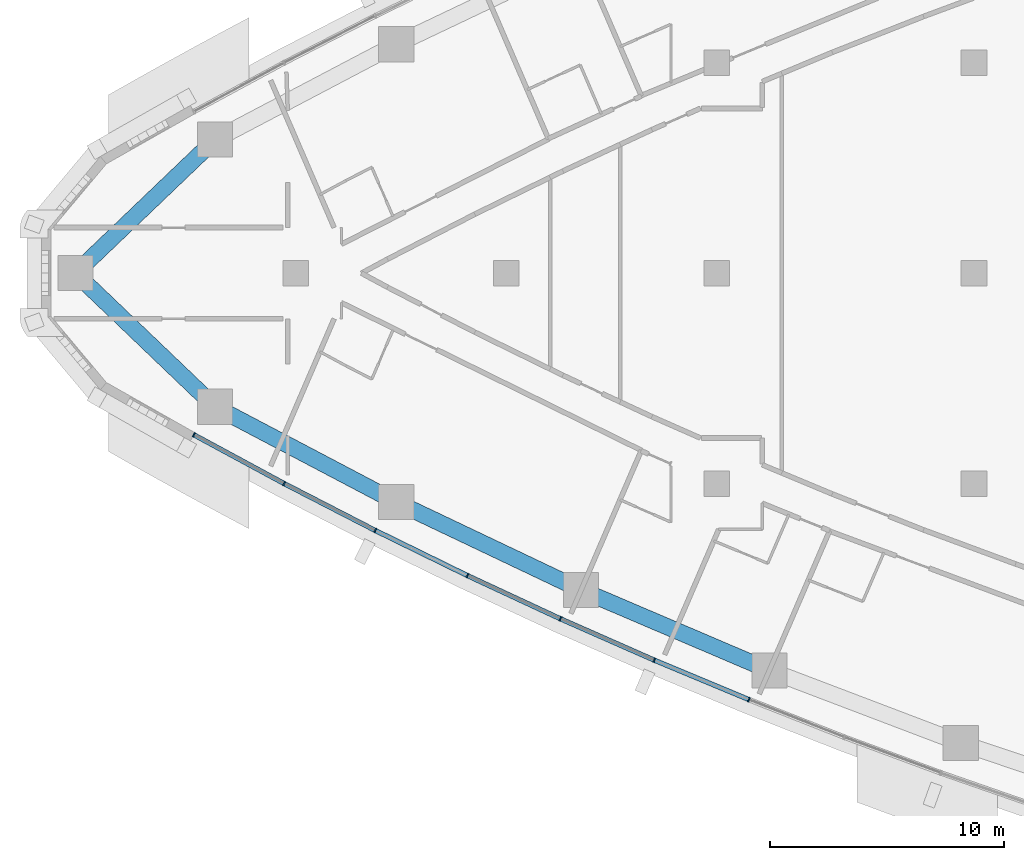
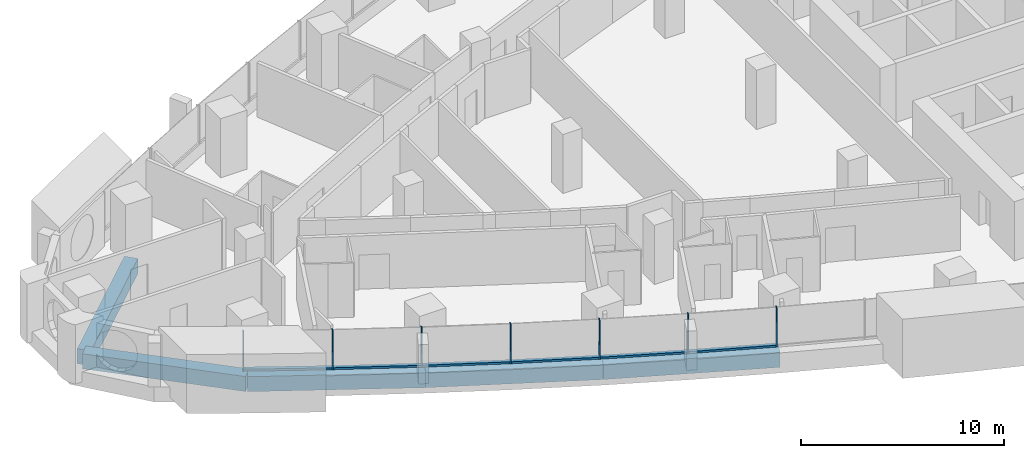
# One storey, part 2 of 16: 13 members, 5 beams, 3 elements without a shape of their own.
"""IFC4 building model written with IfcOpenShell, lengths in metres."""

from ifc_helpers import new_model, si_unit, direction, frame, origin, origin_2d, place, context, subcontext, project, spatial, rectangle, extrude, material, layer, layer_set, material_profile, profile_set, type_object, element, aggregate, save


model = new_model("IFC4")

# Units and contexts
model_context = context("Model", 3, precision=1e-05, world=origin(), true_north=direction((0.0, 1.0)))
body_context = subcontext(model_context, "Body", "Model", "MODEL_VIEW")
ifc_project = project(units=[si_unit("LENGTHUNIT", "METRE"), si_unit("AREAUNIT", "SQUARE_METRE"), si_unit("VOLUMEUNIT", "CUBIC_METRE"), si_unit("PLANEANGLEUNIT", "RADIAN"), si_unit("MASSUNIT", "GRAM", prefix="KILO")], contexts=[model_context])

# Site, building, storey
site_placement = place(None, origin())
site = spatial("IfcSite", under=ifc_project, at=site_placement, CompositionType="ELEMENT")
building_placement = place(site_placement, origin())
building = spatial("IfcBuilding", under=site, at=building_placement, Name="Ostrand Prow Hotel Tower", CompositionType="ELEMENT")
storey_placement = place(building_placement, frame((0.0, 0.0, 147.949951171875)))
storey = spatial("IfcBuildingStorey", under=building, at=storey_placement, Name="L36", CompositionType="ELEMENT", Elevation=147.949951171875)

# Beams
ifc_material_1 = material(Name="Concrete C70/85", Category="concrete")
ifc_material_profile_1 = material_profile(ifc_material_1, rectangle(XDim=0.699951171875, YDim=0.89990234375, at=origin_2d()), Name="RC 700x900")
ifc_profile_set_1 = profile_set([ifc_material_profile_1], Name="Concrete C70/85")
beam_type = type_object("IfcBeamType", Name="Edge beam 700x900 C70/85", PredefinedType="SPANDREL", material=ifc_profile_set_1)
beam_1_placement = place(storey_placement, frame((6.580078125, 0.0, -0.75), z_axis=(0.722689968521, -0.691172344209, 0.0), x_axis=(0.691172344209, 0.722689968521, 0.0)))
element("IfcBeam", 1, at=beam_1_placement, inside=storey, type_object=beam_type, Name="Edge beam P-S1", PredefinedType="SPANDREL", context=body_context, shape_type="SweptSolid", body=[
    extrude(rectangle(XDim=0.699951171875, YDim=0.89990234375, at=origin_2d()), origin(), (0.0, 0.0, 1.0), 8.26513671875),
])
for number, where, z_axis, x_axis, name in (
    (2, (12.55322265625, -5.712646484375, -0.75), (0.885016215308, -0.465560198731, 0.0), (0.465560198731, 0.885016215308, 0.0), "Edge beam S1-S2"),
    (3, (20.300048828125, -9.787841796875, -0.75), (0.903083113352, -0.429465819803, 0.0), (0.429465819803, 0.903083113352, 0.0), "Edge beam S2-S3"),
    (4, (28.205078125, -13.547119140625, -0.75), (0.919700966994, -0.392619575811, 0.0), (0.392619575811, 0.919700966994, 0.0), "Edge beam S3-S4"),
):
    element("IfcBeam", number, at=place(storey_placement, frame(where, z_axis=z_axis, x_axis=x_axis)), inside=storey, type_object=beam_type, Name=name, PredefinedType="SPANDREL", context=body_context, shape_type="SweptSolid", body=[
        extrude(rectangle(XDim=0.699951171875, YDim=0.89990234375, at=origin_2d()), origin(), (0.0, 0.0, 1.0), 8.75341796875),
    ])
beam_2_placement = place(storey_placement, frame((12.55322265625, 5.712646484375, -0.75), z_axis=(-0.722689968521, -0.691172344209, 0.0), x_axis=(0.691172344209, -0.722689968521, 0.0)))
element("IfcBeam", 5, at=beam_2_placement, inside=storey, type_object=beam_type, Name="Edge beam N6-P", PredefinedType="SPANDREL", context=body_context, shape_type="SweptSolid", body=[
    extrude(rectangle(XDim=0.699951171875, YDim=0.89990234375, at=origin_2d()), origin(), (0.0, 0.0, 1.0), 8.26513671875),
])

# Curtain wall, members
ifc_material_2 = material(Name="Insulated glass in bronze anodised frame", Category="glass")
ifc_layer = layer(ifc_material_2, 0.199951171875)
ifc_layer_set = layer_set([ifc_layer], Name="Insulated glass in bronze anodised frame")
curtain_wall_type = type_object("IfcCurtainWallType", Name="Strip curtain wall, fritted glass over bronze spandrel", PredefinedType="NOTDEFINED", material=ifc_layer_set)
curtain_wall_1_placement = place(storey_placement, origin())
curtain_wall_1 = element("IfcCurtainWall", 6, at=curtain_wall_1_placement, inside=storey, type_object=curtain_wall_type, Name="CW1 run CWS1", PredefinedType="NOTDEFINED")
ifc_material_3 = material(Name="Bronze anodised aluminium", Category="aluminium")
ifc_material_profile_2 = material_profile(ifc_material_3, rectangle(XDim=0.199951171875, YDim=0.06005859375, at=origin_2d()), Name="Mullion 60x200 bronze anodised aluminium")
ifc_profile_set_2 = profile_set([ifc_material_profile_2], Name="Bronze anodised aluminium")
member_type_1 = type_object("IfcMemberType", Name="Mullion 60x200 bronze anodised aluminium", PredefinedType="MULLION", material=ifc_profile_set_2)
member_1_placement = place(storey_placement, frame((11.64306640625, -6.909423828125, 0.900146484375), z_axis=(0.0, 0.0, 1.0), x_axis=(0.475393901316, 0.879773060847, 0.0)))
member_1 = element("IfcMember", 7, at=member_1_placement, type_object=member_type_1, Name="CW1 mullion 1", PredefinedType="MULLION", context=body_context, shape_type="SweptSolid", body=[
    extrude(rectangle(XDim=0.199951171875, YDim=0.06005859375, at=origin_2d()), origin(), (0.0, 0.0, 1.0), 2.349853515625),
])
member_2_placement = place(storey_placement, frame((15.501708984375, -8.99462890625, 0.900146484375), z_axis=(0.0, 0.0, 1.0), x_axis=(0.457619429434, 0.889148164146, 0.0)))
member_2 = element("IfcMember", 8, at=member_2_placement, type_object=member_type_1, Name="CW1 mullion 2", PredefinedType="MULLION", context=body_context, shape_type="SweptSolid", body=[
    extrude(rectangle(XDim=0.199951171875, YDim=0.06005859375, at=origin_2d()), origin(), (0.0, 0.0, 1.0), 2.349853515625),
])
member_3_placement = place(storey_placement, frame((19.401611328125, -11.001708984375, 0.900146484375), z_axis=(0.0, 0.0, 1.0), x_axis=(0.457619429434, 0.889148164146, 0.0)))
member_3 = element("IfcMember", 9, at=member_3_placement, type_object=member_type_1, Name="CW1 mullion 3", PredefinedType="MULLION", context=body_context, shape_type="SweptSolid", body=[
    extrude(rectangle(XDim=0.199951171875, YDim=0.06005859375, at=origin_2d()), origin(), (0.0, 0.0, 1.0), 2.349853515625),
])

curtain_wall_2_placement = place(storey_placement, origin())
curtain_wall_2 = element("IfcCurtainWall", 10, at=curtain_wall_2_placement, inside=storey, type_object=curtain_wall_type, Name="CW1 run CWS2", PredefinedType="NOTDEFINED")
member_4_placement = place(storey_placement, frame((23.341064453125, -12.93017578125, 0.900146484375), z_axis=(0.0, 0.0, 1.0), x_axis=(0.421521761673, 0.906818286337, 0.0)))
member_4 = element("IfcMember", 11, at=member_4_placement, type_object=member_type_1, Name="CW1 mullion 2", PredefinedType="MULLION", context=body_context, shape_type="SweptSolid", body=[
    extrude(rectangle(XDim=0.199951171875, YDim=0.06005859375, at=origin_2d()), origin(), (0.0, 0.0, 1.0), 2.349853515625),
])
member_5_placement = place(storey_placement, frame((27.318359375, -14.77880859375, 0.900146484375), z_axis=(0.0, 0.0, 1.0), x_axis=(0.421521761673, 0.906818286337, 0.0)))
member_5 = element("IfcMember", 12, at=member_5_placement, type_object=member_type_1, Name="CW1 mullion 3", PredefinedType="MULLION", context=body_context, shape_type="SweptSolid", body=[
    extrude(rectangle(XDim=0.199951171875, YDim=0.06005859375, at=origin_2d()), origin(), (0.0, 0.0, 1.0), 2.349853515625),
])

curtain_wall_3_placement = place(storey_placement, origin())
curtain_wall_3 = element("IfcCurtainWall", 13, at=curtain_wall_3_placement, inside=storey, type_object=curtain_wall_type, Name="CW1 run CWS3", PredefinedType="NOTDEFINED")
member_6_placement = place(storey_placement, frame((31.332275390625, -16.54736328125, 0.900146484375), z_axis=(0.0, 0.0, 1.0), x_axis=(0.384743220418, 0.92302364777, 0.0)))
member_6 = element("IfcMember", 14, at=member_6_placement, type_object=member_type_1, Name="CW1 mullion 2", PredefinedType="MULLION", context=body_context, shape_type="SweptSolid", body=[
    extrude(rectangle(XDim=0.199951171875, YDim=0.06005859375, at=origin_2d()), origin(), (0.0, 0.0, 1.0), 2.349853515625),
])
member_7_placement = place(storey_placement, frame((35.380615234375, -18.235107421875, 0.900146484375), z_axis=(0.0, 0.0, 1.0), x_axis=(0.384743220418, 0.92302364777, 0.0)))
member_7 = element("IfcMember", 15, at=member_7_placement, type_object=member_type_1, Name="CW1 mullion 3", PredefinedType="MULLION", context=body_context, shape_type="SweptSolid", body=[
    extrude(rectangle(XDim=0.199951171875, YDim=0.06005859375, at=origin_2d()), origin(), (0.0, 0.0, 1.0), 2.349853515625),
])

# Member
ifc_material_4 = material(Name="Bronze anodised aluminium", Category="aluminium")
ifc_material_profile_3 = material_profile(ifc_material_4, rectangle(XDim=0.199951171875, YDim=0.1201171875, at=origin_2d()), Name="Transom 120x200 bronze anodised aluminium")
ifc_profile_set_3 = profile_set([ifc_material_profile_3], Name="Bronze anodised aluminium")
member_type_2 = type_object("IfcMemberType", Name="Transom 120x200 bronze anodised aluminium", PredefinedType="USERDEFINED", material=ifc_profile_set_3)
member_8_placement = place(storey_placement, frame((11.66943359375, -6.923583984375, 0.9599609375), z_axis=(0.879765206929, -0.475408435639, 0.0), x_axis=(0.475408435639, 0.879765206929, 0.0)))
member_8 = element("IfcMember", 16, at=member_8_placement, type_object=member_type_2, Name="CW1 transom 1.1", ObjectType="TRANSOM", PredefinedType="USERDEFINED", context=body_context, shape_type="SweptSolid", body=[
    extrude(rectangle(XDim=0.199951171875, YDim=0.1201171875, at=origin_2d()), origin(), (0.0, 0.0, 1.0), 4.326171875),
])

member_9_placement = place(storey_placement, frame((15.528564453125, -9.00830078125, 0.9599609375), z_axis=(0.88914020052, -0.457634902318, 0.0), x_axis=(0.457634902318, 0.88914020052, 0.0)))
member_9 = element("IfcMember", 17, at=member_9_placement, type_object=member_type_2, Name="CW1 transom 2.1", ObjectType="TRANSOM", PredefinedType="USERDEFINED", context=body_context, shape_type="SweptSolid", body=[
    extrude(rectangle(XDim=0.199951171875, YDim=0.1201171875, at=origin_2d()), origin(), (0.0, 0.0, 1.0), 4.325927734375),
])

aggregate(curtain_wall_1, [member_1, member_2, member_3, member_8, member_9])

member_10_placement = place(storey_placement, frame((19.4287109375, -11.014892578125, 0.9599609375), z_axis=(0.89815413626, -0.439680733623, 0.0), x_axis=(0.439680733623, 0.89815413626, 0.0)))
member_10 = element("IfcMember", 18, at=member_10_placement, type_object=member_type_2, Name="CW1 transom 1.1", ObjectType="TRANSOM", PredefinedType="USERDEFINED", context=body_context, shape_type="SweptSolid", body=[
    extrude(rectangle(XDim=0.199951171875, YDim=0.1201171875, at=origin_2d()), origin(), (0.0, 0.0, 1.0), 4.326171875),
])

member_11_placement = place(storey_placement, frame((23.368408203125, -12.942626953125, 0.9599609375), z_axis=(0.906796377468, -0.421568890944, 0.0), x_axis=(0.421568890944, 0.906796377468, 0.0)))
member_11 = element("IfcMember", 19, at=member_11_placement, type_object=member_type_2, Name="CW1 transom 2.1", ObjectType="TRANSOM", PredefinedType="USERDEFINED", context=body_context, shape_type="SweptSolid", body=[
    extrude(rectangle(XDim=0.199951171875, YDim=0.1201171875, at=origin_2d()), origin(), (0.0, 0.0, 1.0), 4.326171875),
])

aggregate(curtain_wall_2, [member_4, member_5, member_10, member_11])

member_12_placement = place(storey_placement, frame((27.345947265625, -14.791015625, 0.9599609375), z_axis=(0.91509853977, -0.403230284715, 0.0), x_axis=(0.403230284715, 0.91509853977, 0.0)))
member_12 = element("IfcMember", 20, at=member_12_placement, type_object=member_type_2, Name="CW1 transom 1.1", ObjectType="TRANSOM", PredefinedType="USERDEFINED", context=body_context, shape_type="SweptSolid", body=[
    extrude(rectangle(XDim=0.199951171875, YDim=0.1201171875, at=origin_2d()), origin(), (0.0, 0.0, 1.0), 4.325927734375),
])

member_13_placement = place(storey_placement, frame((31.35986328125, -16.55908203125, 0.9599609375), z_axis=(0.923028493412, -0.384731595206, 0.0), x_axis=(0.384731595206, 0.923028493412, 0.0)))
member_13 = element("IfcMember", 21, at=member_13_placement, type_object=member_type_2, Name="CW1 transom 2.1", ObjectType="TRANSOM", PredefinedType="USERDEFINED", context=body_context, shape_type="SweptSolid", body=[
    extrude(rectangle(XDim=0.199951171875, YDim=0.1201171875, at=origin_2d()), origin(), (0.0, 0.0, 1.0), 4.325927734375),
])

aggregate(curtain_wall_3, [member_6, member_7, member_12, member_13])

save(model, "model.ifc")
